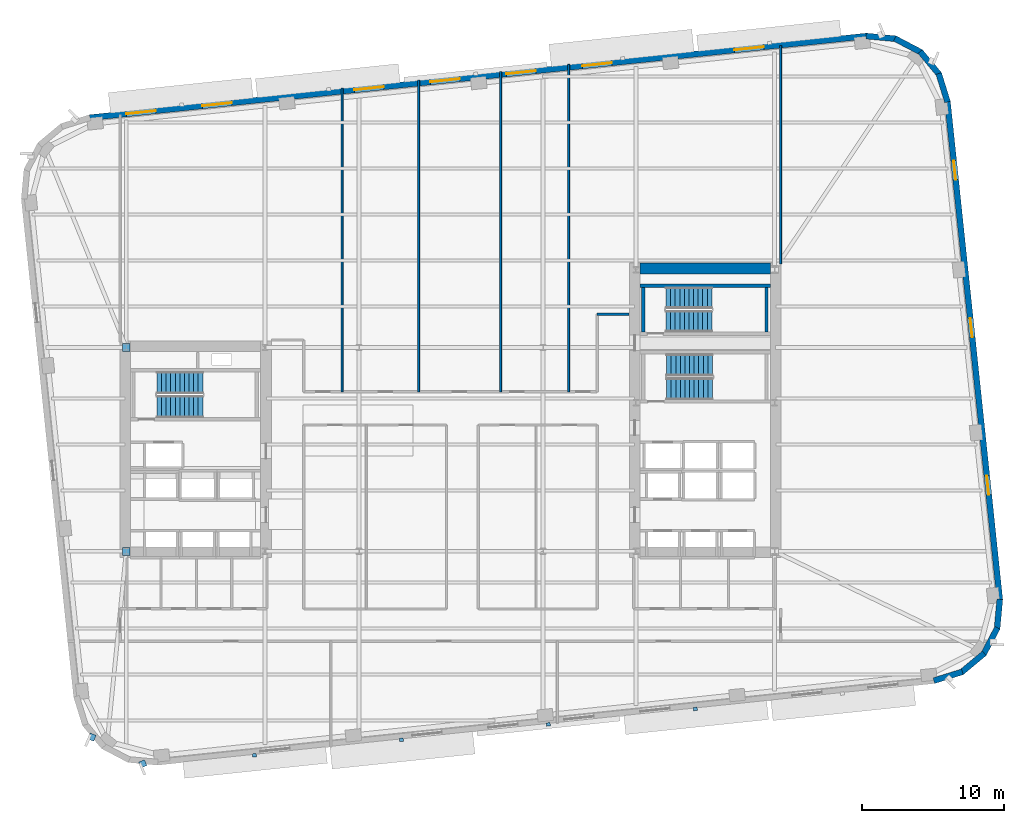
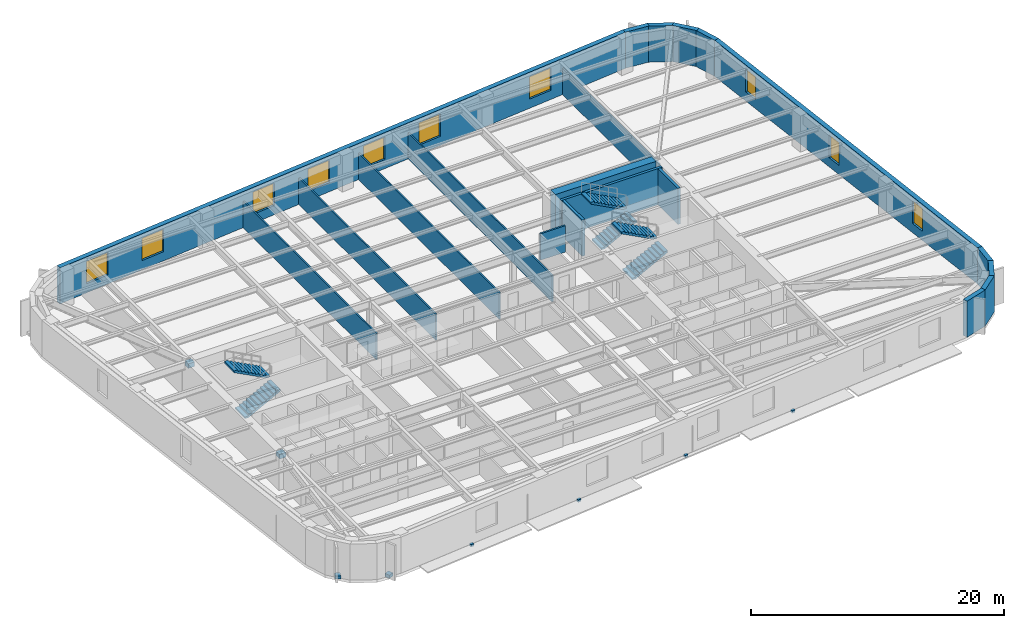
# One storey, part 7 of 15: 20 walls, 10 windows, 8 discrete accessories, 6 stair flights, 10 openings, 3 elements without a shape of their own.
"""IFC4 building model written with IfcOpenShell, lengths in metres."""

from ifc_helpers import new_model, si_unit, direction, frame, frame_2d, origin, origin_2d, place, context, subcontext, project, spatial, polyline, rectangle, outline, extrude, material, layer, layer_set, type_object, element, fill, aggregate, save


model = new_model("IFC4")

# Units and contexts
model_context = context("Model", 3, precision=1e-05, world=origin(), true_north=direction((0.0, 1.0)))
body_context = subcontext(model_context, "Body", "Model", "MODEL_VIEW")
ifc_project = project(units=[si_unit("LENGTHUNIT", "METRE"), si_unit("AREAUNIT", "SQUARE_METRE"), si_unit("VOLUMEUNIT", "CUBIC_METRE"), si_unit("PLANEANGLEUNIT", "RADIAN"), si_unit("MASSUNIT", "GRAM", prefix="KILO")], contexts=[model_context])

# Site, building, storey
site_placement = place(None, origin())
site = spatial("IfcSite", under=ifc_project, at=site_placement, CompositionType="ELEMENT")
building_placement = place(site_placement, origin())
building = spatial("IfcBuilding", under=site, at=building_placement, Name="Kolvaren Arena Tower", CompositionType="ELEMENT")
storey_placement = place(building_placement, frame((0.0, 0.0, 107.199951171875)))
storey = spatial("IfcBuildingStorey", under=building, at=storey_placement, Name="L24", CompositionType="ELEMENT", Elevation=107.199951171875)

# Walls
ifc_material_1 = material(Name="Gypsum board acoustic assembly", Category="gypsum")
ifc_layer_1 = layer(ifc_material_1, 0.159912109375)
ifc_layer_set_1 = layer_set([ifc_layer_1], Name="Gypsum board acoustic assembly")
wall_type_1 = type_object("IfcWallType", Name="CORR-160", PredefinedType="PARTITIONING", material=ifc_layer_set_1)
wall_1_placement = place(storey_placement, frame((47.820068359375, 36.199951171875, 0.0), z_axis=(0.0, 0.0, 1.0), x_axis=(1.0, 0.0, 0.0)))
element("IfcWall", 1, at=wall_1_placement, inside=storey, type_object=wall_type_1, Name="Interior Partition Wall (L24)", PredefinedType="PARTITIONING", context=body_context, shape_type="SweptSolid", body=[
    extrude(rectangle(XDim=2.260009765625, YDim=0.159912109375, at=frame_2d((1.1298828125, 0.0))), origin(), (0.0, 0.0, 1.0), 2.5400390625),
])
ifc_material_2 = material(Name="Concrete 70 MPa", Category="concrete")
ifc_layer_2 = layer(ifc_material_2, 0.75)
ifc_layer_set_2 = layer_set([ifc_layer_2], Name="Concrete 70 MPa")
wall_type_2 = type_object("IfcWallType", Name="CWALL-750", PredefinedType="SHEAR", material=ifc_layer_set_2)
wall_2_placement = place(storey_placement, frame((50.85009765625, 39.425048828125, -0.27001953125), z_axis=(0.0, 0.0, 1.0), x_axis=(1.0, 0.0, 0.0)))
element("IfcWall", 2, at=wall_2_placement, inside=storey, type_object=wall_type_2, Name="Core Shear Wall EC-NORTH (L24)", PredefinedType="SHEAR", context=body_context, shape_type="SweptSolid", body=[
    extrude(rectangle(XDim=9.199951171875, YDim=0.75, at=frame_2d((4.60009765625, 0.0))), origin(), (0.0, 0.0, 1.0), 3.75),
])
ifc_material_3 = material(Name="Precast concrete C50/60", Category="concrete")
ifc_layer_3 = layer(ifc_material_3, 0.419921875)
ifc_layer_set_3 = layer_set([ifc_layer_3], Name="Precast concrete C50/60")
wall_type_3 = type_object("IfcWallType", Name="EXT-PIER1", PredefinedType="SOLIDWALL", material=ifc_layer_set_3)
for number, where, z_axis, x_axis, name in (
    (3, (73.61328125, 10.93701171875, 0.0), (0.0, 0.0, 1.0), (-0.954993985335, -0.296625164093, 0.0), "Exterior Precast Masonry-Frame Wall (L24)"),
    (4, (75.1611328125, 12.2451171875, 0.0), (0.0, 0.0, 1.0), (-0.768800317178, -0.639488914921, 0.0), "Exterior Precast Masonry-Frame Wall (L24)"),
):
    element("IfcWall", number, at=place(storey_placement, frame(where, z_axis=z_axis, x_axis=x_axis)), inside=storey, type_object=wall_type_3, Name=name, PredefinedType="SOLIDWALL", context=body_context, shape_type="SweptSolid", body=[
        extrude(rectangle(XDim=2.10693359375, YDim=0.419921875, at=frame_2d((1.053466796875, 0.0))), origin(), (0.0, 0.0, 1.0), 3.47998046875),
    ])
wall_3_placement = place(storey_placement, frame((76.0908203125, 14.046142578125, 0.0), z_axis=(0.0, 0.0, 1.0), x_axis=(-0.465655699908, -0.884965970613, 0.0)))
element("IfcWall", 5, at=wall_3_placement, inside=storey, type_object=wall_type_3, Name="Exterior Precast Masonry-Frame Wall (L24)", PredefinedType="SOLIDWALL", context=body_context, shape_type="SweptSolid", body=[
    extrude(rectangle(XDim=2.107177734375, YDim=0.419921875, at=frame_2d((1.0537109375, 0.0))), origin(), (0.0, 0.0, 1.0), 3.47998046875),
])
wall_4_placement = place(storey_placement, frame((76.26025390625, 16.065673828125, 0.0), z_axis=(0.0, 0.0, 1.0), x_axis=(-0.091538655308, -0.995801523691, 0.0)))
element("IfcWall", 6, at=wall_4_placement, inside=storey, type_object=wall_type_3, Name="Exterior Precast Masonry-Frame Wall (L24)", PredefinedType="SOLIDWALL", context=body_context, shape_type="SweptSolid", body=[
    extrude(rectangle(XDim=2.10693359375, YDim=0.419921875, at=frame_2d((1.053466796875, 0.0))), origin(), (0.0, 0.0, 1.0), 3.47998046875),
])

# Wall, openings, windows
wall_5_placement = place(storey_placement, frame((72.560302734375, 51.23046875, 0.0), z_axis=(0.0, 0.0, 1.0), x_axis=(0.1045253859, -0.994522218808, 0.0)))
wall_5 = element("IfcWall", 7, at=wall_5_placement, inside=storey, type_object=wall_type_3, Name="Exterior Precast Masonry-Frame Wall (L24)", PredefinedType="SOLIDWALL", context=body_context, shape_type="SweptSolid", body=[
    extrude(rectangle(XDim=35.39990234375, YDim=0.419921875, at=frame_2d((17.699951171875, 0.0))), origin(), (0.0, 0.0, 1.0), 3.47998046875),
])
opening_1_placement = place(wall_5_placement, frame((4.199951171875, 0.0, 0.8798828125)))
opening_1 = element("IfcOpeningElement", 8, at=opening_1_placement, cuts=wall_5, Name="Opening W04", PredefinedType="OPENING", context=body_context, shape_type="SweptSolid", body=[
    extrude(rectangle(XDim=1.35009765625, YDim=2.199951171875, at=frame_2d((0.675048828125, 1.10009765625))), frame((0.0, 0.219970703125, 0.0), z_axis=(0.0, -1.0, 0.0), x_axis=(1.0, 0.0, 0.0)), (0.0, 0.0, 1.0), 0.43994140625),
])
opening_2_placement = place(wall_5_placement, frame((15.39990234375, 0.0, 0.8798828125)))
opening_2 = element("IfcOpeningElement", 9, at=opening_2_placement, cuts=wall_5, Name="Opening W04", PredefinedType="OPENING", context=body_context, shape_type="SweptSolid", body=[
    extrude(rectangle(XDim=1.35009765625, YDim=2.199951171875, at=frame_2d((0.675048828125, 1.10009765625))), frame((0.0, 0.219970703125, 0.0), z_axis=(0.0, -1.0, 0.0), x_axis=(1.0, 0.0, 0.0)), (0.0, 0.0, 1.0), 0.43994140625),
])
opening_3_placement = place(wall_5_placement, frame((26.60009765625, 0.0, 0.8798828125)))
opening_3 = element("IfcOpeningElement", 10, at=opening_3_placement, cuts=wall_5, Name="Opening W04", PredefinedType="OPENING", context=body_context, shape_type="SweptSolid", body=[
    extrude(rectangle(XDim=1.35009765625, YDim=2.199951171875, at=frame_2d((0.675048828125, 1.10009765625))), frame((0.0, 0.219970703125, 0.0), z_axis=(0.0, -1.0, 0.0), x_axis=(1.0, 0.0, 0.0)), (0.0, 0.0, 1.0), 0.43994140625),
])
ifc_material_4 = material(Name="Triple-glazed curved-facet corner window", Category="glass")
window_type_1 = type_object("IfcWindowType", Name="WIN-CRN-A", PartitioningType="SINGLE_PANEL", PredefinedType="WINDOW", material=ifc_material_4)
window_1_placement = place(opening_1_placement, origin())
window_1 = element("IfcWindow", 11, at=window_1_placement, inside=storey, type_object=window_type_1, Name="End-Wall Punched Window (L24)", OverallHeight=2.199951171875, OverallWidth=1.35009765625, PartitioningType="SINGLE_PANEL", PredefinedType="WINDOW", context=body_context, shape_type="SweptSolid", body=[
    extrude(rectangle(XDim=1.35009765625, YDim=2.199951171875, at=frame_2d((0.675048828125, 1.10009765625))), frame((0.0, 0.030029296875, 0.0), z_axis=(0.0, -1.0, 0.0), x_axis=(1.0, 0.0, 0.0)), (0.0, 0.0, 1.0), 0.06005859375),
])
fill(opening_1, window_1)
window_2_placement = place(opening_2_placement, origin())
window_2 = element("IfcWindow", 12, at=window_2_placement, inside=storey, type_object=window_type_1, Name="End-Wall Punched Window (L24)", OverallHeight=2.199951171875, OverallWidth=1.35009765625, PartitioningType="SINGLE_PANEL", PredefinedType="WINDOW", context=body_context, shape_type="SweptSolid", body=[
    extrude(rectangle(XDim=1.35009765625, YDim=2.199951171875, at=frame_2d((0.675048828125, 1.10009765625))), frame((0.0, 0.030029296875, 0.0), z_axis=(0.0, -1.0, 0.0), x_axis=(1.0, 0.0, 0.0)), (0.0, 0.0, 1.0), 0.06005859375),
])
fill(opening_2, window_2)
window_3_placement = place(opening_3_placement, origin())
window_3 = element("IfcWindow", 13, at=window_3_placement, inside=storey, type_object=window_type_1, Name="End-Wall Punched Window (L24)", OverallHeight=2.199951171875, OverallWidth=1.35009765625, PartitioningType="SINGLE_PANEL", PredefinedType="WINDOW", context=body_context, shape_type="SweptSolid", body=[
    extrude(rectangle(XDim=1.35009765625, YDim=2.199951171875, at=frame_2d((0.675048828125, 1.10009765625))), frame((0.0, 0.030029296875, 0.0), z_axis=(0.0, -1.0, 0.0), x_axis=(1.0, 0.0, 0.0)), (0.0, 0.0, 1.0), 0.06005859375),
])
fill(opening_3, window_3)

# Walls
for number, where, z_axis, x_axis, name in (
    (14, (71.943603515625, 53.202392578125, 0.0), (0.0, 0.0, 1.0), (0.296625164093, -0.954993985335, 0.0), "Exterior Precast Masonry-Frame Wall (L24)"),
    (15, (70.635498046875, 54.750244140625, 0.0), (0.0, 0.0, 1.0), (0.639488914921, -0.768800317178, 0.0), "Exterior Precast Masonry-Frame Wall (L24)"),
    (16, (68.83447265625, 55.6796875, 0.0), (0.0, 0.0, 1.0), (0.885013714693, -0.465564952296, 0.0), "Exterior Precast Masonry-Frame Wall (L24)"),
    (17, (66.81494140625, 55.849365234375, 0.0), (0.0, 0.0, 1.0), (0.995801523691, -0.091538655308, 0.0), "Exterior Precast Masonry-Frame Wall (L24)"),
):
    element("IfcWall", number, at=place(storey_placement, frame(where, z_axis=z_axis, x_axis=x_axis)), inside=storey, type_object=wall_type_3, Name=name, PredefinedType="SOLIDWALL", context=body_context, shape_type="SweptSolid", body=[
        extrude(rectangle(XDim=2.10693359375, YDim=0.419921875, at=frame_2d((1.053466796875, 0.0))), origin(), (0.0, 0.0, 1.0), 3.47998046875),
    ])

# Wall, openings, windows
wall_6_placement = place(storey_placement, frame((11.95849609375, 50.07958984375, 0.0), z_axis=(0.0, 0.0, 1.0), x_axis=(0.994521823388, 0.104529148113, 0.0)))
wall_6 = element("IfcWall", 18, at=wall_6_placement, inside=storey, type_object=wall_type_3, Name="Exterior Precast Masonry-Frame Wall (L24)", PredefinedType="SOLIDWALL", context=body_context, shape_type="SweptSolid", body=[
    extrude(rectangle(XDim=55.2001953125, YDim=0.419921875, at=frame_2d((27.60009765625, 0.0))), origin(), (0.0, 0.0, 1.0), 3.47998046875),
])
opening_4_placement = place(wall_6_placement, frame((2.60009765625, 0.0, 0.8798828125)))
opening_4 = element("IfcOpeningElement", 19, at=opening_4_placement, cuts=wall_6, Name="Opening W01", PredefinedType="OPENING", context=body_context, shape_type="SweptSolid", body=[
    extrude(rectangle(XDim=2.10009765625, YDim=2.14990234375, at=frame_2d((1.050048828125, 1.074951171875))), frame((0.0, 0.219970703125, 0.0), z_axis=(0.0, -1.0, 0.0), x_axis=(1.0, 0.0, 0.0)), (0.0, 0.0, 1.0), 0.43994140625),
])
opening_5_placement = place(wall_6_placement, frame((8.0, 0.0, 0.8798828125)))
opening_5 = element("IfcOpeningElement", 20, at=opening_5_placement, cuts=wall_6, Name="Opening W01", PredefinedType="OPENING", context=body_context, shape_type="SweptSolid", body=[
    extrude(rectangle(XDim=2.10009765625, YDim=2.14990234375, at=frame_2d((1.050048828125, 1.074951171875))), frame((0.0, 0.219970703125, 0.0), z_axis=(0.0, -1.0, 0.0), x_axis=(1.0, 0.0, 0.0)), (0.0, 0.0, 1.0), 0.43994140625),
])
opening_6_placement = place(wall_6_placement, frame((18.800048828125, 0.0, 0.8798828125)))
opening_6 = element("IfcOpeningElement", 21, at=opening_6_placement, cuts=wall_6, Name="Opening W01", PredefinedType="OPENING", context=body_context, shape_type="SweptSolid", body=[
    extrude(rectangle(XDim=2.10009765625, YDim=2.14990234375, at=frame_2d((1.050048828125, 1.074951171875))), frame((0.0, 0.219970703125, 0.0), z_axis=(0.0, -1.0, 0.0), x_axis=(1.0, 0.0, 0.0)), (0.0, 0.0, 1.0), 0.43994140625),
])
opening_7_placement = place(wall_6_placement, frame((24.199951171875, 0.0, 0.8798828125)))
opening_7 = element("IfcOpeningElement", 22, at=opening_7_placement, cuts=wall_6, Name="Opening W01", PredefinedType="OPENING", context=body_context, shape_type="SweptSolid", body=[
    extrude(rectangle(XDim=2.10009765625, YDim=2.14990234375, at=frame_2d((1.050048828125, 1.074951171875))), frame((0.0, 0.219970703125, 0.0), z_axis=(0.0, -1.0, 0.0), x_axis=(1.0, 0.0, 0.0)), (0.0, 0.0, 1.0), 0.43994140625),
])
opening_8_placement = place(wall_6_placement, frame((29.60009765625, 0.0, 0.8798828125)))
opening_8 = element("IfcOpeningElement", 23, at=opening_8_placement, cuts=wall_6, Name="Opening W01", PredefinedType="OPENING", context=body_context, shape_type="SweptSolid", body=[
    extrude(rectangle(XDim=2.10009765625, YDim=2.14990234375, at=frame_2d((1.050048828125, 1.074951171875))), frame((0.0, 0.219970703125, 0.0), z_axis=(0.0, -1.0, 0.0), x_axis=(1.0, 0.0, 0.0)), (0.0, 0.0, 1.0), 0.43994140625),
])
opening_9_placement = place(wall_6_placement, frame((35.0, 0.0, 0.8798828125)))
opening_9 = element("IfcOpeningElement", 24, at=opening_9_placement, cuts=wall_6, Name="Opening W01", PredefinedType="OPENING", context=body_context, shape_type="SweptSolid", body=[
    extrude(rectangle(XDim=2.10009765625, YDim=2.14990234375, at=frame_2d((1.050048828125, 1.074951171875))), frame((0.0, 0.219970703125, 0.0), z_axis=(0.0, -1.0, 0.0), x_axis=(1.0, 0.0, 0.0)), (0.0, 0.0, 1.0), 0.43994140625),
])
opening_10_placement = place(wall_6_placement, frame((45.800048828125, 0.0, 0.8798828125)))
opening_10 = element("IfcOpeningElement", 25, at=opening_10_placement, cuts=wall_6, Name="Opening W01", PredefinedType="OPENING", context=body_context, shape_type="SweptSolid", body=[
    extrude(rectangle(XDim=2.10009765625, YDim=2.14990234375, at=frame_2d((1.050048828125, 1.074951171875))), frame((0.0, 0.219970703125, 0.0), z_axis=(0.0, -1.0, 0.0), x_axis=(1.0, 0.0, 0.0)), (0.0, 0.0, 1.0), 0.43994140625),
])
ifc_material_5 = material(Name="Triple-glazed low-E aluminium window", Category="aluminium")
window_type_2 = type_object("IfcWindowType", Name="WIN-OFF-A", PartitioningType="DOUBLE_PANEL_VERTICAL", PredefinedType="WINDOW", material=ifc_material_5)
window_4_placement = place(opening_4_placement, origin())
window_4 = element("IfcWindow", 26, at=window_4_placement, inside=storey, type_object=window_type_2, Name="Punched Precast-Pier Window (L24)", OverallHeight=2.14990234375, OverallWidth=2.10009765625, PartitioningType="DOUBLE_PANEL_VERTICAL", PredefinedType="WINDOW", context=body_context, shape_type="SweptSolid", body=[
    extrude(rectangle(XDim=2.10009765625, YDim=2.14990234375, at=frame_2d((1.050048828125, 1.074951171875))), frame((0.0, 0.030029296875, 0.0), z_axis=(0.0, -1.0, 0.0), x_axis=(1.0, 0.0, 0.0)), (0.0, 0.0, 1.0), 0.06005859375),
])
fill(opening_4, window_4)
window_5_placement = place(opening_5_placement, origin())
window_5 = element("IfcWindow", 27, at=window_5_placement, inside=storey, type_object=window_type_2, Name="Punched Precast-Pier Window (L24)", OverallHeight=2.14990234375, OverallWidth=2.10009765625, PartitioningType="DOUBLE_PANEL_VERTICAL", PredefinedType="WINDOW", context=body_context, shape_type="SweptSolid", body=[
    extrude(rectangle(XDim=2.10009765625, YDim=2.14990234375, at=frame_2d((1.050048828125, 1.074951171875))), frame((0.0, 0.030029296875, 0.0), z_axis=(0.0, -1.0, 0.0), x_axis=(1.0, 0.0, 0.0)), (0.0, 0.0, 1.0), 0.06005859375),
])
fill(opening_5, window_5)
window_6_placement = place(opening_6_placement, origin())
window_6 = element("IfcWindow", 28, at=window_6_placement, inside=storey, type_object=window_type_2, Name="Punched Precast-Pier Window (L24)", OverallHeight=2.14990234375, OverallWidth=2.10009765625, PartitioningType="DOUBLE_PANEL_VERTICAL", PredefinedType="WINDOW", context=body_context, shape_type="SweptSolid", body=[
    extrude(rectangle(XDim=2.10009765625, YDim=2.14990234375, at=frame_2d((1.050048828125, 1.074951171875))), frame((0.0, 0.030029296875, 0.0), z_axis=(0.0, -1.0, 0.0), x_axis=(1.0, 0.0, 0.0)), (0.0, 0.0, 1.0), 0.06005859375),
])
fill(opening_6, window_6)
window_7_placement = place(opening_7_placement, origin())
window_7 = element("IfcWindow", 29, at=window_7_placement, inside=storey, type_object=window_type_2, Name="Punched Precast-Pier Window (L24)", OverallHeight=2.14990234375, OverallWidth=2.10009765625, PartitioningType="DOUBLE_PANEL_VERTICAL", PredefinedType="WINDOW", context=body_context, shape_type="SweptSolid", body=[
    extrude(rectangle(XDim=2.10009765625, YDim=2.14990234375, at=frame_2d((1.050048828125, 1.074951171875))), frame((0.0, 0.030029296875, 0.0), z_axis=(0.0, -1.0, 0.0), x_axis=(1.0, 0.0, 0.0)), (0.0, 0.0, 1.0), 0.06005859375),
])
fill(opening_7, window_7)
window_8_placement = place(opening_8_placement, origin())
window_8 = element("IfcWindow", 30, at=window_8_placement, inside=storey, type_object=window_type_2, Name="Punched Precast-Pier Window (L24)", OverallHeight=2.14990234375, OverallWidth=2.10009765625, PartitioningType="DOUBLE_PANEL_VERTICAL", PredefinedType="WINDOW", context=body_context, shape_type="SweptSolid", body=[
    extrude(rectangle(XDim=2.10009765625, YDim=2.14990234375, at=frame_2d((1.050048828125, 1.074951171875))), frame((0.0, 0.030029296875, 0.0), z_axis=(0.0, -1.0, 0.0), x_axis=(1.0, 0.0, 0.0)), (0.0, 0.0, 1.0), 0.06005859375),
])
fill(opening_8, window_8)
window_9_placement = place(opening_9_placement, origin())
window_9 = element("IfcWindow", 31, at=window_9_placement, inside=storey, type_object=window_type_2, Name="Punched Precast-Pier Window (L24)", OverallHeight=2.14990234375, OverallWidth=2.10009765625, PartitioningType="DOUBLE_PANEL_VERTICAL", PredefinedType="WINDOW", context=body_context, shape_type="SweptSolid", body=[
    extrude(rectangle(XDim=2.10009765625, YDim=2.14990234375, at=frame_2d((1.050048828125, 1.074951171875))), frame((0.0, 0.030029296875, 0.0), z_axis=(0.0, -1.0, 0.0), x_axis=(1.0, 0.0, 0.0)), (0.0, 0.0, 1.0), 0.06005859375),
])
fill(opening_9, window_9)
window_10_placement = place(opening_10_placement, origin())
window_10 = element("IfcWindow", 32, at=window_10_placement, inside=storey, type_object=window_type_2, Name="Punched Precast-Pier Window (L24)", OverallHeight=2.14990234375, OverallWidth=2.10009765625, PartitioningType="DOUBLE_PANEL_VERTICAL", PredefinedType="WINDOW", context=body_context, shape_type="SweptSolid", body=[
    extrude(rectangle(XDim=2.10009765625, YDim=2.14990234375, at=frame_2d((1.050048828125, 1.074951171875))), frame((0.0, 0.030029296875, 0.0), z_axis=(0.0, -1.0, 0.0), x_axis=(1.0, 0.0, 0.0)), (0.0, 0.0, 1.0), 0.06005859375),
])
fill(opening_10, window_10)

# Walls
ifc_material_6 = material(Name="Gypsum board partition assembly", Category="gypsum")
ifc_layer_4 = layer(ifc_material_6, 0.135009765625)
ifc_layer_set_4 = layer_set([ifc_layer_4], Name="Gypsum board partition assembly")
wall_type_4 = type_object("IfcWallType", Name="PART-135", PredefinedType="PARTITIONING", material=ifc_layer_set_4)
wall_7_placement = place(storey_placement, frame((29.800048828125, 30.719970703125, 0.0), z_axis=(0.0, 0.0, 1.0), x_axis=(0.0, 1.0, 0.0)))
element("IfcWall", 33, at=wall_7_placement, inside=storey, type_object=wall_type_4, Name="Interior Partition Wall (L24)", PredefinedType="PARTITIONING", context=body_context, shape_type="SweptSolid", body=[
    extrude(rectangle(XDim=21.446044921875, YDim=0.135009765625, at=frame_2d((10.72314453125, 0.0))), origin(), (0.0, 0.0, 1.0), 2.5400390625),
])
wall_8_placement = place(storey_placement, frame((35.199951171875, 30.719970703125, 0.0), z_axis=(0.0, 0.0, 1.0), x_axis=(0.0, 1.0, 0.0)))
element("IfcWall", 34, at=wall_8_placement, inside=storey, type_object=wall_type_4, Name="Interior Partition Wall (L24)", PredefinedType="PARTITIONING", context=body_context, shape_type="SweptSolid", body=[
    extrude(rectangle(XDim=22.013671875, YDim=0.135009765625, at=frame_2d((11.0068359375, 0.0))), origin(), (0.0, 0.0, 1.0), 2.5400390625),
])
wall_9_placement = place(storey_placement, frame((41.0, 30.719970703125, 0.0), z_axis=(0.0, 0.0, 1.0), x_axis=(0.0, 1.0, 0.0)))
element("IfcWall", 35, at=wall_9_placement, inside=storey, type_object=wall_type_4, Name="Interior Partition Wall (L24)", PredefinedType="PARTITIONING", context=body_context, shape_type="SweptSolid", body=[
    extrude(rectangle(XDim=22.623046875, YDim=0.135009765625, at=frame_2d((11.3115234375, 0.0))), origin(), (0.0, 0.0, 1.0), 2.5400390625),
])
wall_10_placement = place(storey_placement, frame((45.800048828125, 30.719970703125, 0.0), z_axis=(0.0, 0.0, 1.0), x_axis=(0.0, 1.0, 0.0)))
element("IfcWall", 36, at=wall_10_placement, inside=storey, type_object=wall_type_4, Name="Interior Partition Wall (L24)", PredefinedType="PARTITIONING", context=body_context, shape_type="SweptSolid", body=[
    extrude(rectangle(XDim=23.127685546875, YDim=0.135009765625, at=frame_2d((11.56396484375, 0.0))), origin(), (0.0, 0.0, 1.0), 2.5400390625),
])
wall_11_placement = place(storey_placement, frame((60.780029296875, 39.75, 0.0), z_axis=(0.0, 0.0, 1.0), x_axis=(0.0, 1.0, 0.0)))
element("IfcWall", 37, at=wall_11_placement, inside=storey, type_object=wall_type_4, Name="Interior Partition Wall (L24)", PredefinedType="PARTITIONING", context=body_context, shape_type="SweptSolid", body=[
    extrude(rectangle(XDim=15.430908203125, YDim=0.135009765625, at=frame_2d((7.71533203125, 0.0))), origin(), (0.0, 0.0, 1.0), 2.5400390625),
])
ifc_material_7 = material(Name="Concrete 45 MPa", Category="concrete")
ifc_layer_5 = layer(ifc_material_7, 0.25)
ifc_layer_set_5 = layer_set([ifc_layer_5], Name="Concrete 45 MPa")
wall_type_5 = type_object("IfcWallType", Name="SHAFT-250", PredefinedType="SOLIDWALL", material=ifc_layer_set_5)
wall_12_placement = place(storey_placement, frame((50.85009765625, 38.219970703125, 0.0), z_axis=(0.0, 0.0, 1.0), x_axis=(1.0, 0.0, 0.0)))
element("IfcWall", 38, at=wall_12_placement, inside=storey, type_object=wall_type_5, Name="Core Shaft Wall (L24)", PredefinedType="SOLIDWALL", context=body_context, shape_type="SweptSolid", body=[
    extrude(rectangle(XDim=9.199951171875, YDim=0.239990234375, at=frame_2d((4.60009765625, 0.0))), origin(), (0.0, 0.0, 1.0), 3.47998046875),
])
for number, where, z_axis, x_axis, name in (
    (39, (51.06005859375, 34.949951171875, 0.0), (0.0, 0.0, 1.0), (0.0, 1.0, 0.0), "Core Shaft Wall (L24)"),
    (40, (59.780029296875, 34.949951171875, 0.0), (0.0, 0.0, 1.0), (0.0, 1.0, 0.0), "Core Shaft Wall (L24)"),
):
    element("IfcWall", number, at=place(storey_placement, frame(where, z_axis=z_axis, x_axis=x_axis)), inside=storey, type_object=wall_type_5, Name=name, PredefinedType="SOLIDWALL", context=body_context, shape_type="SweptSolid", body=[
        extrude(rectangle(XDim=3.150146484375, YDim=0.239990234375, at=frame_2d((1.5751953125, 0.0))), origin(), (0.0, 0.0, 1.0), 3.47998046875),
    ])

# Stair, stair flights
stair_type_1 = type_object("IfcStairType", Name="STAIR-CORE-150", PredefinedType="HALF_TURN_STAIR", material=ifc_material_7)
stair_1_placement = place(storey_placement, origin())
stair_1 = element("IfcStair", 41, at=stair_1_placement, inside=storey, type_object=stair_type_1, Name="L24 ST-E2", PredefinedType="HALF_TURN_STAIR")
stair_flight_type_1 = type_object("IfcStairFlightType", Name="FLT-150", PredefinedType="STRAIGHT", material=ifc_material_7)
stair_flight_1_placement = place(storey_placement, frame((52.679931640625, 35.699951171875, 0.0), z_axis=(0.0, 0.0, 1.0), x_axis=(1.0, 0.0, 0.0)))
stair_flight_1 = element("IfcStairFlight", 42, at=stair_flight_1_placement, type_object=stair_flight_type_1, Name="ST-E2 flight 1", NumberOfRisers=11, NumberOfTreads=10, PredefinedType="STRAIGHT", RiserHeight=0.170454545, TreadLength=0.324, context=body_context, shape_type="SweptSolid", body=[
    extrude(outline(polyline([(0.0, 0.0), (0.0, 0.17041015625), (0.323974609375, 0.17041015625), (0.323974609375, 0.3408203125), (0.64794921875, 0.3408203125), (0.64794921875, 0.511474609375), (0.971923828125, 0.511474609375), (0.971923828125, 0.681884765625), (1.2958984375, 0.681884765625), (1.2958984375, 0.852294921875), (1.6201171875, 0.852294921875), (1.6201171875, 1.022705078125), (1.944091796875, 1.022705078125), (1.944091796875, 1.193115234375), (2.26806640625, 1.193115234375), (2.26806640625, 1.363525390625), (2.592041015625, 1.363525390625), (2.592041015625, 1.5341796875), (2.916015625, 1.5341796875), (2.916015625, 1.70458984375), (3.239990234375, 1.70458984375), (3.239990234375, 1.875), (3.239990234375, 1.53515625), (0.322021484375, 0.0), (0.0, 0.0)])), frame((0.0, 0.75, 0.0), z_axis=(0.0, -1.0, 0.0), x_axis=(1.0, 0.0, 0.0)), (0.0, 0.0, 1.0), 1.5),
])
stair_flight_2_placement = place(storey_placement, frame((55.919921875, 37.35009765625, 1.875), z_axis=(0.0, 0.0, 1.0), x_axis=(-1.0, 0.0, 0.0)))
stair_flight_2 = element("IfcStairFlight", 43, at=stair_flight_2_placement, type_object=stair_flight_type_1, Name="ST-E2 flight 2", NumberOfRisers=11, NumberOfTreads=10, PredefinedType="STRAIGHT", RiserHeight=0.170454545, TreadLength=0.324, context=body_context, shape_type="SweptSolid", body=[
    extrude(outline(polyline([(0.0, 0.0), (0.0, 0.17041015625), (0.323974609375, 0.17041015625), (0.323974609375, 0.3408203125), (0.64794921875, 0.3408203125), (0.64794921875, 0.511474609375), (0.971923828125, 0.511474609375), (0.971923828125, 0.681884765625), (1.2958984375, 0.681884765625), (1.2958984375, 0.852294921875), (1.6201171875, 0.852294921875), (1.6201171875, 1.022705078125), (1.944091796875, 1.022705078125), (1.944091796875, 1.193115234375), (2.26806640625, 1.193115234375), (2.26806640625, 1.363525390625), (2.592041015625, 1.363525390625), (2.592041015625, 1.5341796875), (2.916015625, 1.5341796875), (2.916015625, 1.70458984375), (3.239990234375, 1.70458984375), (3.239990234375, 1.875), (3.239990234375, 1.53515625), (0.322021484375, 0.0), (0.0, 0.0)])), frame((0.0, 0.75, 0.0), z_axis=(0.0, -1.0, 0.0), x_axis=(1.0, 0.0, 0.0)), (0.0, 0.0, 1.0), 1.5),
])
aggregate(stair_1, [stair_flight_1, stair_flight_2])

stair_type_2 = type_object("IfcStairType", Name="STAIR-CORE-165", PredefinedType="HALF_TURN_STAIR", material=ifc_material_7)
stair_2_placement = place(storey_placement, origin())
stair_2 = element("IfcStair", 44, at=stair_2_placement, inside=storey, type_object=stair_type_2, Name="L24 ST-W1", PredefinedType="HALF_TURN_STAIR")
stair_flight_type_2 = type_object("IfcStairFlightType", Name="FLT-165", PredefinedType="STRAIGHT", material=ifc_material_7)
stair_flight_3_placement = place(storey_placement, frame((16.719970703125, 29.669921875, 0.0), z_axis=(0.0, 0.0, 1.0), x_axis=(1.0, 0.0, 0.0)))
stair_flight_3 = element("IfcStairFlight", 45, at=stair_flight_3_placement, type_object=stair_flight_type_2, Name="ST-W1 flight 1", NumberOfRisers=11, NumberOfTreads=10, PredefinedType="STRAIGHT", RiserHeight=0.170454545, TreadLength=0.324, context=body_context, shape_type="SweptSolid", body=[
    extrude(outline(polyline([(0.0, 0.0), (0.0, 0.17041015625), (0.323974609375, 0.17041015625), (0.323974609375, 0.3408203125), (0.64794921875, 0.3408203125), (0.64794921875, 0.511474609375), (0.971923828125, 0.511474609375), (0.971923828125, 0.681884765625), (1.2958984375, 0.681884765625), (1.2958984375, 0.852294921875), (1.6201171875, 0.852294921875), (1.6201171875, 1.022705078125), (1.944091796875, 1.022705078125), (1.944091796875, 1.193115234375), (2.26806640625, 1.193115234375), (2.26806640625, 1.363525390625), (2.592041015625, 1.363525390625), (2.592041015625, 1.5341796875), (2.916015625, 1.5341796875), (2.916015625, 1.70458984375), (3.239990234375, 1.70458984375), (3.239990234375, 1.875), (3.239990234375, 1.53515625), (0.322021484375, 0.0), (0.0, 0.0)])), frame((0.0, 0.77001953125, 0.0), z_axis=(0.0, -1.0, 0.0), x_axis=(1.0, 0.0, 0.0)), (0.0, 0.0, 1.0), 1.5400390625),
])
stair_flight_4_placement = place(storey_placement, frame((19.9599609375, 31.360107421875, 1.875), z_axis=(0.0, 0.0, 1.0), x_axis=(-1.0, 0.0, 0.0)))
stair_flight_4 = element("IfcStairFlight", 46, at=stair_flight_4_placement, type_object=stair_flight_type_2, Name="ST-W1 flight 2", NumberOfRisers=11, NumberOfTreads=10, PredefinedType="STRAIGHT", RiserHeight=0.170454545, TreadLength=0.324, context=body_context, shape_type="SweptSolid", body=[
    extrude(outline(polyline([(0.0, 0.0), (0.0, 0.17041015625), (0.323974609375, 0.17041015625), (0.323974609375, 0.3408203125), (0.64794921875, 0.3408203125), (0.64794921875, 0.511474609375), (0.971923828125, 0.511474609375), (0.971923828125, 0.681884765625), (1.2958984375, 0.681884765625), (1.2958984375, 0.852294921875), (1.6201171875, 0.852294921875), (1.6201171875, 1.022705078125), (1.944091796875, 1.022705078125), (1.944091796875, 1.193115234375), (2.26806640625, 1.193115234375), (2.26806640625, 1.363525390625), (2.592041015625, 1.363525390625), (2.592041015625, 1.5341796875), (2.916015625, 1.5341796875), (2.916015625, 1.70458984375), (3.239990234375, 1.70458984375), (3.239990234375, 1.875), (3.239990234375, 1.53515625), (0.322021484375, 0.0), (0.0, 0.0)])), frame((0.0, 0.77001953125, 0.0), z_axis=(0.0, -1.0, 0.0), x_axis=(1.0, 0.0, 0.0)), (0.0, 0.0, 1.0), 1.5400390625),
])
aggregate(stair_2, [stair_flight_3, stair_flight_4])

stair_3_placement = place(storey_placement, origin())
stair_3 = element("IfcStair", 47, at=stair_3_placement, inside=storey, type_object=stair_type_2, Name="L24 ST-E1", PredefinedType="HALF_TURN_STAIR")
stair_flight_5_placement = place(storey_placement, frame((52.719970703125, 30.919921875, 0.0), z_axis=(0.0, 0.0, 1.0), x_axis=(1.0, 0.0, 0.0)))
stair_flight_5 = element("IfcStairFlight", 48, at=stair_flight_5_placement, type_object=stair_flight_type_2, Name="ST-E1 flight 1", NumberOfRisers=11, NumberOfTreads=10, PredefinedType="STRAIGHT", RiserHeight=0.170454545, TreadLength=0.324, context=body_context, shape_type="SweptSolid", body=[
    extrude(outline(polyline([(0.0, 0.0), (0.0, 0.17041015625), (0.323974609375, 0.17041015625), (0.323974609375, 0.3408203125), (0.64794921875, 0.3408203125), (0.64794921875, 0.511474609375), (0.971923828125, 0.511474609375), (0.971923828125, 0.681884765625), (1.2958984375, 0.681884765625), (1.2958984375, 0.852294921875), (1.6201171875, 0.852294921875), (1.6201171875, 1.022705078125), (1.944091796875, 1.022705078125), (1.944091796875, 1.193115234375), (2.26806640625, 1.193115234375), (2.26806640625, 1.363525390625), (2.592041015625, 1.363525390625), (2.592041015625, 1.5341796875), (2.916015625, 1.5341796875), (2.916015625, 1.70458984375), (3.239990234375, 1.70458984375), (3.239990234375, 1.875), (3.239990234375, 1.53515625), (0.322021484375, 0.0), (0.0, 0.0)])), frame((0.0, 0.77001953125, 0.0), z_axis=(0.0, -1.0, 0.0), x_axis=(1.0, 0.0, 0.0)), (0.0, 0.0, 1.0), 1.5400390625),
])
stair_flight_6_placement = place(storey_placement, frame((55.9599609375, 32.610107421875, 1.875), z_axis=(0.0, 0.0, 1.0), x_axis=(-1.0, 0.0, 0.0)))
stair_flight_6 = element("IfcStairFlight", 49, at=stair_flight_6_placement, type_object=stair_flight_type_2, Name="ST-E1 flight 2", NumberOfRisers=11, NumberOfTreads=10, PredefinedType="STRAIGHT", RiserHeight=0.170454545, TreadLength=0.324, context=body_context, shape_type="SweptSolid", body=[
    extrude(outline(polyline([(0.0, 0.0), (0.0, 0.17041015625), (0.323974609375, 0.17041015625), (0.323974609375, 0.3408203125), (0.64794921875, 0.3408203125), (0.64794921875, 0.511474609375), (0.971923828125, 0.511474609375), (0.971923828125, 0.681884765625), (1.2958984375, 0.681884765625), (1.2958984375, 0.852294921875), (1.6201171875, 0.852294921875), (1.6201171875, 1.022705078125), (1.944091796875, 1.022705078125), (1.944091796875, 1.193115234375), (2.26806640625, 1.193115234375), (2.26806640625, 1.363525390625), (2.592041015625, 1.363525390625), (2.592041015625, 1.5341796875), (2.916015625, 1.5341796875), (2.916015625, 1.70458984375), (3.239990234375, 1.70458984375), (3.239990234375, 1.875), (3.239990234375, 1.53515625), (0.322021484375, 0.0), (0.0, 0.0)])), frame((0.0, 0.77001953125, 0.0), z_axis=(0.0, -1.0, 0.0), x_axis=(1.0, 0.0, 0.0)), (0.0, 0.0, 1.0), 1.5400390625),
])
aggregate(stair_3, [stair_flight_5, stair_flight_6])

# Discrete accessories
ifc_material_8 = material(Name="Stainless steel facade support bracket", Category="steel")
discrete_accessory_type_1 = type_object("IfcDiscreteAccessoryType", Name="ACC-BRKT-1", PredefinedType="BRACKET", material=ifc_material_8)
for number, where, z_axis, x_axis, name in (
    (50, (12.12939453125, 6.325439453125, 0.02001953125), (0.0, 0.0, 1.0), (-0.378634078949, -0.925546451702, 0.0), "Corner Fin Anchor Bracket (L24)"),
    (51, (15.716796875, 4.43798828125, 0.02001953125), (0.0, 0.0, 1.0), (0.386706132999, -0.922202996472, 0.0), "Corner Fin Anchor Bracket (L24)"),
):
    element("IfcDiscreteAccessory", number, at=place(storey_placement, frame(where, z_axis=z_axis, x_axis=x_axis)), inside=storey, type_object=discrete_accessory_type_1, Name=name, PredefinedType="BRACKET", context=body_context, shape_type="SweptSolid", body=[
        extrude(rectangle(XDim=0.449951171875, YDim=0.449951171875, at=origin_2d()), origin(), (0.0, 0.0, 1.0), 0.300048828125),
    ])
for number, where, z_axis, x_axis, name in (
    (52, (54.748779296875, 8.313720703125, -0.18017578125), (0.0, 0.0, 1.0), (-0.994522077803, -0.104526727499, 0.0), "Sunshade Support Bracket (L24)"),
    (53, (44.365966796875, 7.222412109375, -0.18017578125), (0.0, 0.0, 1.0), (-0.994522077803, -0.104526727499, 0.0), "Sunshade Support Bracket (L24)"),
    (54, (33.983154296875, 6.131103515625, -0.18017578125), (0.0, 0.0, 1.0), (-0.994522077803, -0.104526727499, 0.0), "Sunshade Support Bracket (L24)"),
    (55, (23.600341796875, 5.039794921875, -0.18017578125), (0.0, 0.0, 1.0), (-0.994522077803, -0.104526727499, 0.0), "Sunshade Support Bracket (L24)"),
):
    element("IfcDiscreteAccessory", number, at=place(storey_placement, frame(where, z_axis=z_axis, x_axis=x_axis)), inside=storey, type_object=discrete_accessory_type_1, Name=name, PredefinedType="BRACKET", context=body_context, shape_type="SweptSolid", body=[
        extrude(rectangle(XDim=0.280029296875, YDim=0.239990234375, at=origin_2d()), origin(), (0.0, 0.0, 1.0), 0.239990234375),
    ])
ifc_material_9 = material(Name="Steel CSA G40.21 350W bolted gusset connection", Category="steel")
discrete_accessory_type_2 = type_object("IfcDiscreteAccessoryType", Name="ACC-CONN-1", PredefinedType="BRACKET", material=ifc_material_9)
for number, where, z_axis, x_axis, name in (
    (56, (14.550048828125, 33.85009765625, 2.87353515625), (0.0, 0.0, 1.0), (1.0, 0.0, 0.0), "Core Wall Cast-In Embed Plate EP1 (L24)"),
    (57, (14.550048828125, 19.449951171875, 2.87353515625), (0.0, 0.0, 1.0), (1.0, 0.0, 0.0), "Core Wall Cast-In Embed Plate EP1 (L24)"),
):
    element("IfcDiscreteAccessory", number, at=place(storey_placement, frame(where, z_axis=z_axis, x_axis=x_axis)), inside=storey, type_object=discrete_accessory_type_2, Name=name, PredefinedType="BRACKET", context=body_context, shape_type="SweptSolid", body=[
        extrude(rectangle(XDim=0.56005859375, YDim=0.56005859375, at=origin_2d()), origin(), (0.0, 0.0, 1.0), 0.43994140625),
    ])

save(model, "model.ifc")
